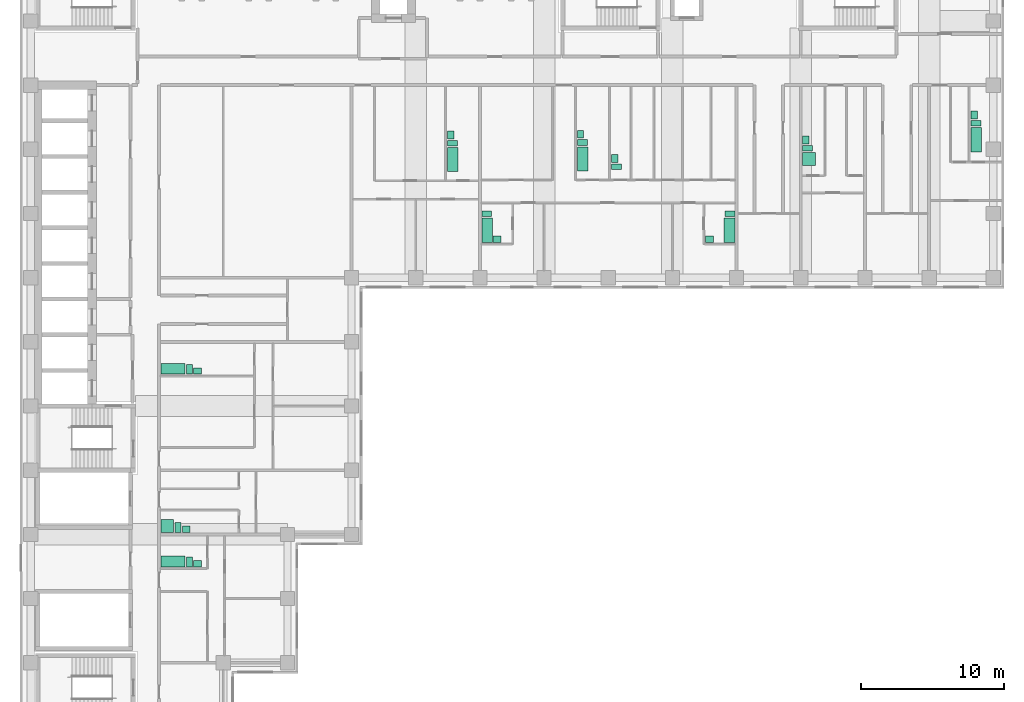
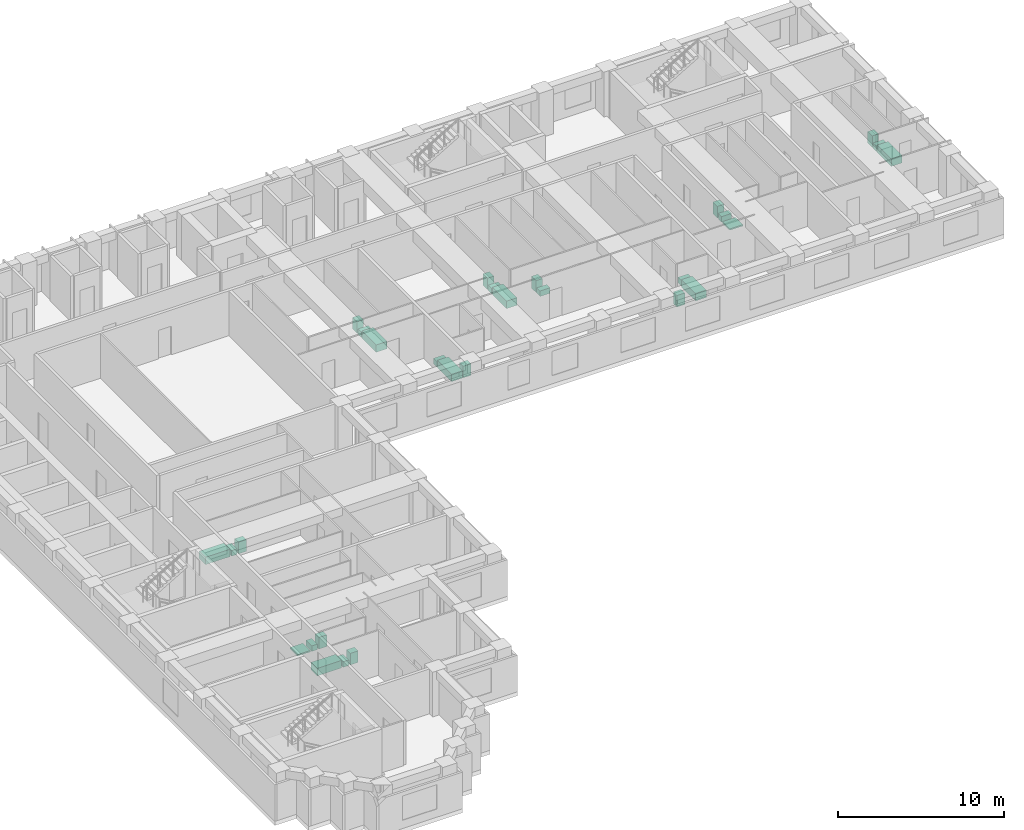
# One storey, part 12 of 12: 29 sanitary terminals.
"""IFC4 building model written with IfcOpenShell, lengths in metres."""

import ifcopenshell
import ifcopenshell.guid

model = None  # the IFC model being written
_history = None  # IfcOwnerHistory: only IFC2X3 demands one
_inside = {}  # id of a spatial element -> (the spatial element, [elements in it])
_under = {}  # id of a project, library or spatial element -> (it, [spatial elements below it])
_declared = {}  # id of a project -> (the project, [libraries it declares])
_typed = {}  # id of a type object -> (the type object, [elements of that type])
_made_of = {}  # id of a material, layer set ... -> (it, [elements and type objects made of it])


def new_model(schema):
    """Start an empty IFC model of exactly this schema.

    Asked for "IFC4X3", IfcOpenShell would pick the latest addendum, in which some entities
    have other attributes; the version numbers below select the first issue.
    IFC2X3 requires an IfcOwnerHistory on every rooted entity: one is made here for all.
    """
    global model, _history
    if schema == "IFC4X3":
        model = ifcopenshell.file(schema_version=(4, 3, 0, 0))
    else:
        model = ifcopenshell.file(schema=schema)
    _inside.clear()
    _under.clear()
    _declared.clear()
    _typed.clear()
    _made_of.clear()
    _history = None
    if model.schema == "IFC2X3":
        org = make("IfcOrganization", Name="unknown")
        user = make(
            "IfcPersonAndOrganization",
            ThePerson=make("IfcPerson", FamilyName="unknown"),
            TheOrganization=org,
        )
        app = make(
            "IfcApplication",
            ApplicationDeveloper=org,
            Version="unknown",
            ApplicationFullName="unknown",
            ApplicationIdentifier="unknown",
        )
        _history = make(
            "IfcOwnerHistory",
            OwningUser=user,
            OwningApplication=app,
            ChangeAction="ADDED",
            CreationDate=0,
        )
    return model


def make(cls, **values):
    """One entity of the class cls with the attributes given. An attribute that is None is left unset."""
    return model.create_entity(
        cls, **{name: value for name, value in values.items() if value is not None}
    )


def rooted(cls, **values):
    """An entity with a GlobalId (a new one), such as an element, a storey or a relation."""
    return make(cls, GlobalId=ifcopenshell.guid.new(), OwnerHistory=_history, **values)


def si_unit(unit_type, name, prefix=None):
    """IfcSIUnit, for example si_unit("LENGTHUNIT", "METRE", prefix="MILLI")."""
    return make("IfcSIUnit", UnitType=unit_type, Prefix=prefix, Name=name)


def assignment(units):
    """IfcUnitAssignment: the units of a project."""
    return None if units is None else make("IfcUnitAssignment", Units=units)


def point(xyz):
    """IfcCartesianPoint."""
    return None if xyz is None else make("IfcCartesianPoint", Coordinates=xyz)


def direction(xyz):
    """IfcDirection."""
    return None if xyz is None else make("IfcDirection", DirectionRatios=xyz)


def frame(location, z_axis=None, x_axis=None):
    """IfcAxis2Placement3D, a coordinate frame: its origin and axes. An axis left out is left unset."""
    return make(
        "IfcAxis2Placement3D",
        Location=point(location),
        Axis=direction(z_axis),
        RefDirection=direction(x_axis),
    )


def frame_2d(location, x_axis=None):
    """IfcAxis2Placement2D, a coordinate frame in the plane: its origin and x axis."""
    return make(
        "IfcAxis2Placement2D", Location=point(location), RefDirection=direction(x_axis)
    )


def origin():
    """The frame at (0, 0, 0) with its axes left unset."""
    return frame((0.0, 0.0, 0.0))


def origin_2d():
    """The frame at (0, 0) in the plane with its x axis left unset."""
    return frame_2d((0.0, 0.0))


def place(relative_to, where):
    """IfcLocalPlacement: puts the frame where relative to a parent placement (None: the world)."""
    return make(
        "IfcLocalPlacement", PlacementRelTo=relative_to, RelativePlacement=where
    )


def context(
    kind, dimensions, precision=None, world=None, true_north=None, identifier=None
):
    """IfcGeometricRepresentationContext, for example the 3D "Model" context."""
    return make(
        "IfcGeometricRepresentationContext",
        ContextIdentifier=identifier,
        ContextType=kind,
        CoordinateSpaceDimension=dimensions,
        Precision=precision,
        WorldCoordinateSystem=world,
        TrueNorth=true_north,
    )


def subcontext(parent, identifier, kind, view, scale=None):
    """IfcGeometricRepresentationSubContext, for example "Body" below "Model"."""
    return make(
        "IfcGeometricRepresentationSubContext",
        ContextIdentifier=identifier,
        ContextType=kind,
        ParentContext=parent,
        TargetScale=scale,
        TargetView=view,
    )


def project(units=None, contexts=None):
    """IfcProject with its units and contexts."""
    return rooted(
        "IfcProject",
        Name="project",
        RepresentationContexts=contexts,
        UnitsInContext=assignment(units),
    )


def spatial(cls, under=None, at=None, **own):
    """A site, building, storey or space (cls), placed at a placement, below another one or the project."""
    s = rooted(cls, ObjectPlacement=at, **own)
    if under is not None:
        _under.setdefault(under.id(), (under, []))[1].append(s)
    return s


def profile(cls, at=None, kind="AREA", **sizes):
    """A parametric profile (cls). Its sizes go by their IFC names, for example OverallWidth=200.0."""
    return make(cls, ProfileType=kind, Position=at, **sizes)


def rectangle(**sizes):
    """IfcRectangleProfileDef."""
    return profile("IfcRectangleProfileDef", **sizes)


def extrude(swept, where, along, depth):
    """IfcExtrudedAreaSolid: the profile swept, set in the frame where, extruded along a direction by depth."""
    return make(
        "IfcExtrudedAreaSolid",
        SweptArea=swept,
        Position=where,
        ExtrudedDirection=direction(along),
        Depth=depth,
    )


def shape(context_of_items, identifier, shape_type, items):
    """IfcShapeRepresentation: the items that make up one representation, for example the "Body"."""
    return make(
        "IfcShapeRepresentation",
        ContextOfItems=context_of_items,
        RepresentationIdentifier=identifier,
        RepresentationType=shape_type,
        Items=items,
    )


def material(Name=None, Category=None):
    """IfcMaterial."""
    return make("IfcMaterial", Name=Name, Category=Category)


def made_of(thing, what):
    """Note that an element or type object is made of a material, layer set ...; save() writes the relation."""
    if what is not None:
        _made_of.setdefault(what.id(), (what, []))[1].append(thing)
    return thing


def type_object(cls, material=None, **own):
    """A type object (cls), such as IfcWallType, which elements share."""
    return made_of(rooted(cls, **own), material)


def element(
    cls,
    number,
    at=None,
    inside=None,
    cuts=None,
    type_object=None,
    material=None,
    context=None,
    identifier="Body",
    shape_type=None,
    held_by="IfcProductDefinitionShape",
    body=None,
    shapes=None,
    **own,
):
    """One element of the class cls, such as IfcWall. Its Tag is "e" and its number.

    at: its placement. inside: the storey or other place that contains it. cuts: it is an
    opening in that element (IfcRelVoidsElement). A single representation is given by context,
    identifier, shape_type and body (its items); several are given by shapes. held_by: the class
    of the entity that holds the representations. save() writes the other relations.
    """
    e = rooted(cls, Tag="e%d" % number, ObjectPlacement=at, **own)
    if body is not None:
        shapes = [shape(context, identifier, shape_type, body)]
    if shapes is not None:
        e.Representation = make(held_by, Representations=shapes)
    if inside is not None:
        _inside.setdefault(inside.id(), (inside, []))[1].append(e)
    if cuts is not None:
        rooted(
            "IfcRelVoidsElement", RelatingBuildingElement=cuts, RelatedOpeningElement=e
        )
    if type_object is not None:
        _typed.setdefault(type_object.id(), (type_object, []))[1].append(e)
    return made_of(e, material)


def aggregate(whole, parts):
    """IfcRelAggregates: a whole, such as a stair, and the parts it consists of."""
    return rooted("IfcRelAggregates", RelatingObject=whole, RelatedObjects=parts)


def save(model, path):
    """Write the relations noted so far, then the file.

    IfcRelAggregates (storeys below a building ...), IfcRelContainedInSpatialStructure (elements
    in a storey), IfcRelDefinesByType, IfcRelAssociatesMaterial and IfcRelDeclares: one each for
    every whole, place, type object, material and project.
    """
    for whole, parts in _under.values():
        aggregate(whole, parts)
    for where, things in _inside.values():
        rooted(
            "IfcRelContainedInSpatialStructure",
            RelatedElements=things,
            RelatingStructure=where,
        )
    for kind, things in _typed.values():
        rooted("IfcRelDefinesByType", RelatedObjects=things, RelatingType=kind)
    for what, things in _made_of.values():
        rooted("IfcRelAssociatesMaterial", RelatedObjects=things, RelatingMaterial=what)
    for by, libraries in _declared.values():
        rooted("IfcRelDeclares", RelatingContext=by, RelatedDefinitions=libraries)
    model.write(path)


model = new_model("IFC4")

# Units and contexts
model_context = context("Model", 3, precision=1e-05, world=origin(), true_north=direction((0.0, 1.0)))
body_context = subcontext(model_context, "Body", "Model", "MODEL_VIEW")
ifc_project = project(units=[si_unit("LENGTHUNIT", "METRE"), si_unit("AREAUNIT", "SQUARE_METRE"), si_unit("VOLUMEUNIT", "CUBIC_METRE"), si_unit("PLANEANGLEUNIT", "RADIAN"), si_unit("MASSUNIT", "GRAM", prefix="KILO")], contexts=[model_context])

# Site, building, storey
site_placement = place(None, origin())
site = spatial("IfcSite", under=ifc_project, at=site_placement, CompositionType="ELEMENT")
building_placement = place(site_placement, origin())
building = spatial("IfcBuilding", under=site, at=building_placement, Name="Firuza Court", CompositionType="ELEMENT")
storey_placement = place(building_placement, frame((0.0, 0.0, 123.199951171875)))
storey = spatial("IfcBuildingStorey", under=building, at=storey_placement, Name="L30", CompositionType="ELEMENT", Elevation=123.199951171875)

# Sanitary terminals
ifc_material_1 = material(Name="Vitreous china", Category="ceramic")
sanitary_terminal_type_1 = type_object("IfcSanitaryTerminalType", Name="Fixture Bath", PredefinedType="BATH", material=ifc_material_1)
for number, where, z_axis, x_axis, name in (
    (1, (29.60498046875, 44.280029296875, 0.0), (0.0, 0.0, 1.0), (1.0, 0.0, 0.0), "Bath"),
    (2, (38.705078125, 44.330078125, 0.0), (0.0, 0.0, 1.0), (1.0, 0.0, 0.0), "Bath"),
    (3, (32.0048828125, 39.330078125, 0.0), (0.0, 0.0, 1.0), (1.0, 0.0, 0.0), "Bath"),
    (4, (48.9951171875, 39.330078125, 0.0), (0.0, 0.0, 1.0), (1.0, 0.0, 0.0), "Bath"),
    (5, (66.304931640625, 45.679931640625, 0.0), (0.0, 0.0, 1.0), (1.0, 0.0, 0.0), "Bath"),
):
    element("IfcSanitaryTerminal", number, at=place(storey_placement, frame(where, z_axis=z_axis, x_axis=x_axis)), inside=storey, type_object=sanitary_terminal_type_1, Name=name, PredefinedType="BATH", context=body_context, shape_type="SweptSolid", body=[
        extrude(rectangle(XDim=0.75, YDim=1.699951171875, at=origin_2d()), origin(), (0.0, 0.0, 1.0), 0.550048828125),
    ])
for number, where, z_axis, x_axis, name in (
    (6, (9.97998046875, 29.60498046875, 0.0), (0.0, 0.0, 1.0), (1.0, 0.0, 0.0), "Bath"),
    (7, (9.97998046875, 16.10498046875, 0.0), (0.0, 0.0, 1.0), (1.0, 0.0, 0.0), "Bath"),
):
    element("IfcSanitaryTerminal", number, at=place(storey_placement, frame(where, z_axis=z_axis, x_axis=x_axis)), inside=storey, type_object=sanitary_terminal_type_1, Name=name, PredefinedType="BATH", context=body_context, shape_type="SweptSolid", body=[
        extrude(rectangle(XDim=1.699951171875, YDim=0.75, at=origin_2d()), origin(), (0.0, 0.0, 1.0), 0.550048828125),
    ])
ifc_material_2 = material(Name="Vitreous china", Category="ceramic")
sanitary_terminal_type_2 = type_object("IfcSanitaryTerminalType", Name="Fixture Shower tray", PredefinedType="SHOWER", material=ifc_material_2)
for number, where, z_axis, x_axis, name in (
    (8, (54.580078125, 44.330078125, 0.0), (0.0, 0.0, 1.0), (1.0, 0.0, 0.0), "Shower tray"),
    (9, (9.580078125, 18.580078125, 0.0), (0.0, 0.0, 1.0), (1.0, 0.0, 0.0), "Shower tray"),
):
    element("IfcSanitaryTerminal", number, at=place(storey_placement, frame(where, z_axis=z_axis, x_axis=x_axis)), inside=storey, type_object=sanitary_terminal_type_2, Name=name, PredefinedType="SHOWER", context=body_context, shape_type="SweptSolid", body=[
        extrude(rectangle(XDim=0.89990234375, YDim=0.89990234375, at=origin_2d()), origin(), (0.0, 0.0, 1.0), 0.10009765625),
    ])
ifc_material_3 = material(Name="Vitreous china", Category="ceramic")
sanitary_terminal_type_3 = type_object("IfcSanitaryTerminalType", Name="Fixture WC pan", PredefinedType="TOILETPAN", material=ifc_material_3)
for number, where, z_axis, x_axis, name in (
    (10, (29.580078125, 45.429931640625, 0.0), (0.0, 0.0, 1.0), (1.0, 0.0, 0.0), "WC pan"),
    (11, (38.679931640625, 45.47998046875, 0.0), (0.0, 0.0, 1.0), (1.0, 0.0, 0.0), "WC pan"),
    (12, (41.080078125, 43.780029296875, 0.0), (0.0, 0.0, 1.0), (1.0, 0.0, 0.0), "WC pan"),
    (13, (31.97998046875, 40.47998046875, 0.0), (0.0, 0.0, 1.0), (1.0, 0.0, 0.0), "WC pan"),
    (14, (49.02001953125, 40.47998046875, 0.0), (0.0, 0.0, 1.0), (1.0, 0.0, 0.0), "WC pan"),
    (15, (54.47998046875, 45.080078125, 0.0), (0.0, 0.0, 1.0), (1.0, 0.0, 0.0), "WC pan"),
    (16, (66.280029296875, 46.830078125, 0.0), (0.0, 0.0, 1.0), (1.0, 0.0, 0.0), "WC pan"),
):
    element("IfcSanitaryTerminal", number, at=place(storey_placement, frame(where, z_axis=z_axis, x_axis=x_axis)), inside=storey, type_object=sanitary_terminal_type_3, Name=name, PredefinedType="TOILETPAN", context=body_context, shape_type="SweptSolid", body=[
        extrude(rectangle(XDim=0.699951171875, YDim=0.39990234375, at=origin_2d()), origin(), (0.0, 0.0, 1.0), 0.39990234375),
    ])
for number, where, z_axis, x_axis, name in (
    (17, (11.1298828125, 29.580078125, 0.0), (0.0, 0.0, 1.0), (1.0, 0.0, 0.0), "WC pan"),
    (18, (10.330078125, 18.47998046875, 0.0), (0.0, 0.0, 1.0), (1.0, 0.0, 0.0), "WC pan"),
    (19, (11.1298828125, 16.080078125, 0.0), (0.0, 0.0, 1.0), (1.0, 0.0, 0.0), "WC pan"),
):
    element("IfcSanitaryTerminal", number, at=place(storey_placement, frame(where, z_axis=z_axis, x_axis=x_axis)), inside=storey, type_object=sanitary_terminal_type_3, Name=name, PredefinedType="TOILETPAN", context=body_context, shape_type="SweptSolid", body=[
        extrude(rectangle(XDim=0.39990234375, YDim=0.699951171875, at=origin_2d()), origin(), (0.0, 0.0, 1.0), 0.39990234375),
    ])
ifc_material_4 = material(Name="Vitreous china", Category="ceramic")
sanitary_terminal_type_4 = type_object("IfcSanitaryTerminalType", Name="Fixture Washbasin", PredefinedType="WASHHANDBASIN", material=ifc_material_4)
for number, where, z_axis, x_axis, name in (
    (20, (29.455078125, 46.0048828125, 0.0), (0.0, 0.0, 1.0), (1.0, 0.0, 0.0), "Washbasin"),
    (21, (38.554931640625, 46.054931640625, 0.0), (0.0, 0.0, 1.0), (1.0, 0.0, 0.0), "Washbasin"),
    (22, (40.955078125, 44.35498046875, 0.0), (0.0, 0.0, 1.0), (1.0, 0.0, 0.0), "Washbasin"),
):
    element("IfcSanitaryTerminal", number, at=place(storey_placement, frame(where, z_axis=z_axis, x_axis=x_axis)), inside=storey, type_object=sanitary_terminal_type_4, Name=name, PredefinedType="WASHHANDBASIN", context=body_context, shape_type="SweptSolid", body=[
        extrude(rectangle(XDim=0.449951171875, YDim=0.550048828125, at=origin_2d()), origin(), (0.0, 0.0, 1.0), 0.85009765625),
    ])
for number, where, z_axis, x_axis, name in (
    (23, (32.705078125, 38.705078125, 0.0), (0.0, 0.0, 1.0), (1.0, 0.0, 0.0), "Washbasin"),
    (24, (47.60498046875, 38.705078125, 0.0), (0.0, 0.0, 1.0), (1.0, 0.0, 0.0), "Washbasin"),
):
    element("IfcSanitaryTerminal", number, at=place(storey_placement, frame(where, z_axis=z_axis, x_axis=x_axis)), inside=storey, type_object=sanitary_terminal_type_4, Name=name, PredefinedType="WASHHANDBASIN", context=body_context, shape_type="SweptSolid", body=[
        extrude(rectangle(XDim=0.550048828125, YDim=0.449951171875, at=origin_2d()), origin(), (0.0, 0.0, 1.0), 0.85009765625),
    ])
for number, where, z_axis, x_axis, name in (
    (25, (54.35498046875, 45.655029296875, 0.0), (0.0, 0.0, 1.0), (1.0, 0.0, 0.0), "Washbasin"),
    (26, (66.155029296875, 47.405029296875, 0.0), (0.0, 0.0, 1.0), (1.0, 0.0, 0.0), "Washbasin"),
):
    element("IfcSanitaryTerminal", number, at=place(storey_placement, frame(where, z_axis=z_axis, x_axis=x_axis)), inside=storey, type_object=sanitary_terminal_type_4, Name=name, PredefinedType="WASHHANDBASIN", context=body_context, shape_type="SweptSolid", body=[
        extrude(rectangle(XDim=0.449951171875, YDim=0.550048828125, at=origin_2d()), origin(), (0.0, 0.0, 1.0), 0.85009765625),
    ])
for number, where, z_axis, x_axis, name in (
    (27, (11.705078125, 29.455078125, 0.0), (0.0, 0.0, 1.0), (1.0, 0.0, 0.0), "Washbasin"),
    (28, (10.905029296875, 18.35498046875, 0.0), (0.0, 0.0, 1.0), (1.0, 0.0, 0.0), "Washbasin"),
    (29, (11.705078125, 15.955078125, 0.0), (0.0, 0.0, 1.0), (1.0, 0.0, 0.0), "Washbasin"),
):
    element("IfcSanitaryTerminal", number, at=place(storey_placement, frame(where, z_axis=z_axis, x_axis=x_axis)), inside=storey, type_object=sanitary_terminal_type_4, Name=name, PredefinedType="WASHHANDBASIN", context=body_context, shape_type="SweptSolid", body=[
        extrude(rectangle(XDim=0.550048828125, YDim=0.449951171875, at=origin_2d()), origin(), (0.0, 0.0, 1.0), 0.85009765625),
    ])

save(model, "model.ifc")
